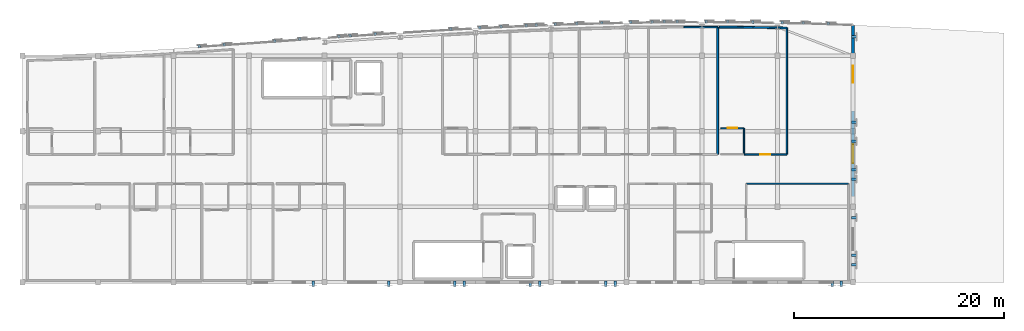
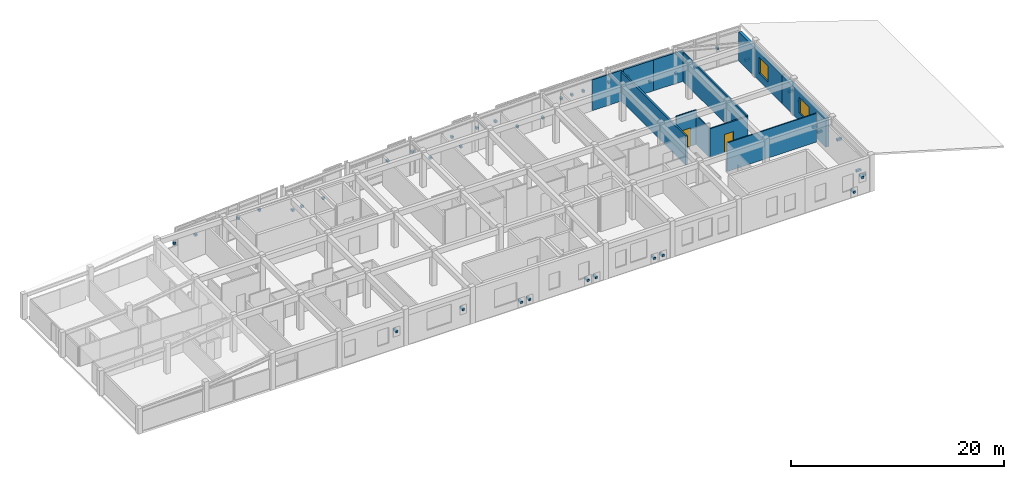
# One storey, part 23 of 24: 43 discrete accessories, 11 walls, 2 doors, 2 windows, 4 openings.
"""IFC4 building model written with IfcOpenShell, lengths in metres."""

from ifc_helpers import new_model, si_unit, direction, frame, frame_2d, origin, origin_2d, place, context, subcontext, project, spatial, rectangle, extrude, material, layer, layer_set, type_object, element, fill, save


model = new_model("IFC4")

# Units and contexts
model_context = context("Model", 3, precision=1e-05, world=origin(), true_north=direction((0.0, 1.0)))
body_context = subcontext(model_context, "Body", "Model", "MODEL_VIEW")
ifc_project = project(units=[si_unit("LENGTHUNIT", "METRE"), si_unit("AREAUNIT", "SQUARE_METRE"), si_unit("VOLUMEUNIT", "CUBIC_METRE"), si_unit("PLANEANGLEUNIT", "RADIAN"), si_unit("MASSUNIT", "GRAM", prefix="KILO")], contexts=[model_context])

# Site, building, storey
site_placement = place(None, origin())
site = spatial("IfcSite", under=ifc_project, at=site_placement, CompositionType="ELEMENT")
building_placement = place(site_placement, origin())
building = spatial("IfcBuilding", under=site, at=building_placement, Name="Carrowvane Square Congress Hotel", CompositionType="ELEMENT")
storey_placement = place(building_placement, frame((0.0, 0.0, 44.39990234375)))
storey = spatial("IfcBuildingStorey", under=building, at=storey_placement, Name="L11", CompositionType="ELEMENT", Elevation=44.39990234375)

# Wall, opening, window
ifc_material_1 = material(Name="Glazed terracotta rainscreen", Category="masonry")
ifc_layer_1 = layer(ifc_material_1, 0.330078125)
ifc_layer_set_1 = layer_set([ifc_layer_1], Name="Glazed terracotta rainscreen")
wall_type_1 = type_object("IfcWallType", Name="WL-EXT-TC330", PredefinedType="STANDARD", material=ifc_layer_set_1)
wall_1_placement = place(storey_placement, frame((112.39990234375, 116.323974609375, 0.0), z_axis=(0.0, 0.0, 1.0), x_axis=(0.0, -1.0, 0.0)))
wall_1 = element("IfcWall", 1, at=wall_1_placement, inside=storey, type_object=wall_type_1, Name="L11 exterior facade wall 604", PredefinedType="STANDARD", context=body_context, shape_type="SweptSolid", body=[
    extrude(rectangle(XDim=8.174560546875, YDim=0.330078125, at=frame_2d((4.08740234375, 0.0))), origin(), (0.0, 0.0, 1.0), 3.28515625),
])
opening_1_placement = place(wall_1_placement, frame((3.8623046875, 0.0, 0.89990234375)))
opening_1 = element("IfcOpeningElement", 2, at=opening_1_placement, cuts=wall_1, Name="Opening W-04", PredefinedType="OPENING", context=body_context, shape_type="SweptSolid", body=[
    extrude(rectangle(XDim=1.64990234375, YDim=1.800048828125, at=frame_2d((0.824951171875, 0.89990234375))), frame((0.0, 0.175048828125, 0.0), z_axis=(0.0, -1.0, 0.0), x_axis=(1.0, 0.0, 0.0)), (0.0, 0.0, 1.0), 0.35009765625),
])
ifc_material_2 = material(Name="Double-glazed low-E glass", Category="glass")
window_type_1 = type_object("IfcWindowType", Name="WIN-04", PartitioningType="SINGLE_PANEL", PredefinedType="WINDOW", material=ifc_material_2)
window_1_placement = place(opening_1_placement, origin())
window_1 = element("IfcWindow", 3, at=window_1_placement, inside=storey, type_object=window_type_1, Name="L11 facade window 497", OverallHeight=1.800048828125, OverallWidth=1.64990234375, PartitioningType="SINGLE_PANEL", PredefinedType="WINDOW", context=body_context, shape_type="SweptSolid", body=[
    extrude(rectangle(XDim=1.64990234375, YDim=1.800048828125, at=frame_2d((0.824951171875, 0.89990234375))), frame((0.0, 0.030029296875, 0.0), z_axis=(0.0, -1.0, 0.0), x_axis=(1.0, 0.0, 0.0)), (0.0, 0.0, 1.0), 0.06005859375),
])
fill(opening_1, window_1)

wall_2_placement = place(storey_placement, frame((112.39990234375, 108.1494140625, 0.0), z_axis=(0.0, 0.0, 1.0), x_axis=(0.0, -1.0, 0.0)))
wall_2 = element("IfcWall", 4, at=wall_2_placement, inside=storey, type_object=wall_type_1, Name="L11 exterior facade wall 605", PredefinedType="STANDARD", context=body_context, shape_type="SweptSolid", body=[
    extrude(rectangle(XDim=8.1748046875, YDim=0.330078125, at=frame_2d((4.08740234375, 0.0))), origin(), (0.0, 0.0, 1.0), 3.28515625),
])
opening_2_placement = place(wall_2_placement, frame((3.187255859375, 0.0, 0.89990234375)))
opening_2 = element("IfcOpeningElement", 5, at=opening_2_placement, cuts=wall_2, Name="Opening W-05", PredefinedType="OPENING", context=body_context, shape_type="SweptSolid", body=[
    extrude(rectangle(XDim=1.800048828125, YDim=1.800048828125, at=frame_2d((0.89990234375, 0.89990234375))), frame((0.0, 0.175048828125, 0.0), z_axis=(0.0, -1.0, 0.0), x_axis=(1.0, 0.0, 0.0)), (0.0, 0.0, 1.0), 0.35009765625),
])
ifc_material_3 = material(Name="Double-glazed low-E glass", Category="glass")
window_type_2 = type_object("IfcWindowType", Name="WIN-05", PartitioningType="SINGLE_PANEL", PredefinedType="WINDOW", material=ifc_material_3)
window_2_placement = place(opening_2_placement, origin())
window_2 = element("IfcWindow", 6, at=window_2_placement, inside=storey, type_object=window_type_2, Name="L11 facade window 498", OverallHeight=1.800048828125, OverallWidth=1.800048828125, PartitioningType="SINGLE_PANEL", PredefinedType="WINDOW", context=body_context, shape_type="SweptSolid", body=[
    extrude(rectangle(XDim=1.800048828125, YDim=1.800048828125, at=frame_2d((0.89990234375, 0.89990234375))), frame((0.0, 0.030029296875, 0.0), z_axis=(0.0, -1.0, 0.0), x_axis=(1.0, 0.0, 0.0)), (0.0, 0.0, 1.0), 0.06005859375),
])
fill(opening_2, window_2)

# Walls
ifc_material_4 = material(Name="Acoustic gypsum board", Category="gypsum")
ifc_layer_2 = layer(ifc_material_4, 0.155029296875)
ifc_layer_set_2 = layer_set([ifc_layer_2], Name="Acoustic gypsum board")
wall_type_2 = type_object("IfcWallType", Name="WL-FIR-155", PredefinedType="PARTITIONING", material=ifc_layer_set_2)
wall_3_placement = place(storey_placement, frame((106.090087890625, 116.059814453125, 0.0), z_axis=(0.0, 0.0, 1.0), x_axis=(0.0, -1.0, 0.0)))
element("IfcWall", 7, at=wall_3_placement, inside=storey, type_object=wall_type_2, Name="L11 Parkview Suite 1111 partition", PredefinedType="PARTITIONING", context=body_context, shape_type="SweptSolid", body=[
    extrude(rectangle(XDim=12.059814453125, YDim=0.155029296875, at=frame_2d((6.02978515625, 0.0))), origin(), (0.0, 0.0, 1.0), 3.335205078125),
])
ifc_material_5 = material(Name="Acoustic gypsum board", Category="gypsum")
ifc_layer_3 = layer(ifc_material_5, 0.169921875)
ifc_layer_set_3 = layer_set([ifc_layer_3], Name="Acoustic gypsum board")
wall_type_3 = type_object("IfcWallType", Name="WL-FIR-170", PredefinedType="PARTITIONING", material=ifc_layer_set_3)
wall_4_placement = place(storey_placement, frame((102.8701171875, 116.117431640625, 0.0), z_axis=(0.0, 0.0, 1.0), x_axis=(0.999839946197, -0.01789083534, 0.0)))
element("IfcWall", 8, at=wall_4_placement, inside=storey, type_object=wall_type_3, Name="L11 Parkview Suite 1111 partition", PredefinedType="PARTITIONING", context=body_context, shape_type="SweptSolid", body=[
    extrude(rectangle(XDim=3.220458984375, YDim=0.169921875, at=frame_2d((1.6103515625, 0.0))), origin(), (0.0, 0.0, 1.0), 3.525634765625),
])
ifc_material_6 = material(Name="Acoustic gypsum board", Category="gypsum")
ifc_layer_4 = layer(ifc_material_6, 0.18505859375)
ifc_layer_set_4 = layer_set([ifc_layer_4], Name="Acoustic gypsum board")
wall_type_4 = type_object("IfcWallType", Name="WL-FIR-185", PredefinedType="PARTITIONING", material=ifc_layer_set_4)
wall_5_placement = place(storey_placement, frame((99.489990234375, 116.14501953125, 0.0), z_axis=(0.0, 0.0, 1.0), x_axis=(0.0, -1.0, 0.0)))
element("IfcWall", 9, at=wall_5_placement, inside=storey, type_object=wall_type_4, Name="L11 Parkview Suite 1110 partition", PredefinedType="PARTITIONING", context=body_context, shape_type="SweptSolid", body=[
    extrude(rectangle(XDim=12.14501953125, YDim=0.18505859375, at=frame_2d((6.072509765625, 0.0))), origin(), (0.0, 0.0, 1.0), 3.335205078125),
])
wall_6_placement = place(storey_placement, frame((99.64990234375, 116.14453125, 0.0), z_axis=(0.0, 0.0, 1.0), x_axis=(0.999964591844, -0.008415168286, 0.0)))
element("IfcWall", 10, at=wall_6_placement, inside=storey, type_object=wall_type_4, Name="L11 Parkview Suite 1111 partition", PredefinedType="PARTITIONING", context=body_context, shape_type="SweptSolid", body=[
    extrude(rectangle(XDim=3.22021484375, YDim=0.18505859375, at=frame_2d((1.610107421875, 0.0))), origin(), (0.0, 0.0, 1.0), 3.525634765625),
])
ifc_material_7 = material(Name="Acoustic gypsum board", Category="gypsum")
ifc_layer_5 = layer(ifc_material_7, 0.10791015625)
ifc_layer_set_5 = layer_set([ifc_layer_5], Name="Acoustic gypsum board")
wall_type_5 = type_object("IfcWallType", Name="WL-PRT-108", PredefinedType="PARTITIONING", material=ifc_layer_set_5)
wall_7_placement = place(storey_placement, frame((102.0, 106.5, 0.0), z_axis=(0.0, 0.0, 1.0), x_axis=(0.0, -1.0, 0.0)))
element("IfcWall", 11, at=wall_7_placement, inside=storey, type_object=wall_type_5, Name="L11 En-suite Bathroom 1111 partition", PredefinedType="PARTITIONING", context=body_context, shape_type="SweptSolid", body=[
    extrude(rectangle(XDim=2.5, YDim=0.10791015625, at=frame_2d((1.25, 0.0))), origin(), (0.0, 0.0, 1.0), 3.335205078125),
])
ifc_material_8 = material(Name="Acoustic gypsum board", Category="gypsum")
ifc_layer_6 = layer(ifc_material_8, 0.117919921875)
ifc_layer_set_6 = layer_set([ifc_layer_6], Name="Acoustic gypsum board")
wall_type_6 = type_object("IfcWallType", Name="WL-PRT-118", PredefinedType="PARTITIONING", material=ifc_layer_set_6)
wall_8_placement = place(storey_placement, frame((102.2099609375, 101.199951171875, 0.0), z_axis=(0.0, 0.0, 1.0), x_axis=(1.0, 0.0, 0.0)))
element("IfcWall", 12, at=wall_8_placement, inside=storey, type_object=wall_type_6, Name="L11 L11 Presidential East Dining Salon partition", PredefinedType="PARTITIONING", context=body_context, shape_type="SweptSolid", body=[
    extrude(rectangle(XDim=9.739990234375, YDim=0.117919921875, at=frame_2d((4.8701171875, 0.0))), origin(), (0.0, 0.0, 1.0), 3.28515625),
])

# Wall, opening, door
wall_9_placement = place(storey_placement, frame((99.800048828125, 106.5, 0.0), z_axis=(0.0, 0.0, 1.0), x_axis=(1.0, 0.0, 0.0)))
wall_9 = element("IfcWall", 13, at=wall_9_placement, inside=storey, type_object=wall_type_6, Name="L11 En-suite Bathroom 1111 partition", PredefinedType="PARTITIONING", context=body_context, shape_type="SweptSolid", body=[
    extrude(rectangle(XDim=2.199951171875, YDim=0.117919921875, at=frame_2d((1.10009765625, 0.0))), origin(), (0.0, 0.0, 1.0), 3.9501953125),
])
opening_3_placement = place(wall_9_placement, frame((0.64501953125, 0.0, 0.0)))
opening_3 = element("IfcOpeningElement", 14, at=opening_3_placement, cuts=wall_9, Name="Opening ID-17", PredefinedType="OPENING", context=body_context, shape_type="SweptSolid", body=[
    extrude(rectangle(XDim=0.909912109375, YDim=2.110107421875, at=frame_2d((0.455078125, 1.05517578125))), frame((0.0, 0.06884765625, 0.0), z_axis=(0.0, -1.0, 0.0), x_axis=(1.0, 0.0, 0.0)), (0.0, 0.0, 1.0), 0.137939453125),
])
ifc_material_9 = material(Name="European oak timber", Category="wood")
door_type_1 = type_object("IfcDoorType", Name="DR-INT-0910x2110", OperationType="NOTDEFINED", PredefinedType="DOOR", material=ifc_material_9)
door_1_placement = place(opening_3_placement, origin())
door_1 = element("IfcDoor", 15, at=door_1_placement, inside=storey, type_object=door_type_1, Name="L11 En-suite Bathroom 1111 door", OperationType="SINGLE_SWING_RIGHT", OverallHeight=2.110107421875, OverallWidth=0.909912109375, PredefinedType="DOOR", context=body_context, shape_type="SweptSolid", body=[
    extrude(rectangle(XDim=0.909912109375, YDim=2.110107421875, at=frame_2d((0.455078125, 1.05517578125))), frame((0.0, 0.02490234375, 0.0), z_axis=(0.0, -1.0, 0.0), x_axis=(1.0, 0.0, 0.0)), (0.0, 0.0, 1.0), 0.050048828125),
])
fill(opening_3, door_1)

# Wall
ifc_material_10 = material(Name="Acoustic gypsum board", Category="gypsum")
ifc_layer_7 = layer(ifc_material_10, 0.137939453125)
ifc_layer_set_7 = layer_set([ifc_layer_7], Name="Acoustic gypsum board")
wall_type_7 = type_object("IfcWallType", Name="WL-PRT-138", PredefinedType="PARTITIONING", material=ifc_layer_set_7)
wall_10_placement = place(storey_placement, frame((96.27001953125, 116.144287109375, 0.0), z_axis=(0.0, 0.0, 1.0), x_axis=(0.99999997413, 0.000227462273, 0.0)))
element("IfcWall", 16, at=wall_10_placement, inside=storey, type_object=wall_type_7, Name="L11 Parkview Suite 1110 partition", PredefinedType="PARTITIONING", context=body_context, shape_type="SweptSolid", body=[
    extrude(rectangle(XDim=3.219970703125, YDim=0.137939453125, at=frame_2d((1.60986328125, 0.0))), origin(), (0.0, 0.0, 1.0), 3.525634765625),
])

# Wall, opening, door
ifc_material_11 = material(Name="Acoustic gypsum board", Category="gypsum")
ifc_layer_8 = layer(ifc_material_11, 0.14794921875)
ifc_layer_set_8 = layer_set([ifc_layer_8], Name="Acoustic gypsum board")
wall_type_8 = type_object("IfcWallType", Name="WL-PRT-148", PredefinedType="PARTITIONING", material=ifc_layer_set_8)
wall_11_placement = place(storey_placement, frame((106.090087890625, 104.0, 0.0), z_axis=(0.0, 0.0, 1.0), x_axis=(-1.0, 0.0, 0.0)))
wall_11 = element("IfcWall", 17, at=wall_11_placement, inside=storey, type_object=wall_type_8, Name="L11 Parkview Suite 1111 partition", PredefinedType="PARTITIONING", context=body_context, shape_type="SweptSolid", body=[
    extrude(rectangle(XDim=4.080078125, YDim=0.14794921875, at=frame_2d((2.0400390625, 0.0))), origin(), (0.0, 0.0, 1.0), 3.28515625),
])
opening_4_placement = place(wall_11_placement, frame((1.56494140625, 0.0, 0.0)))
opening_4 = element("IfcOpeningElement", 18, at=opening_4_placement, cuts=wall_11, Name="Opening FD-06", PredefinedType="OPENING", context=body_context, shape_type="SweptSolid", body=[
    extrude(rectangle(XDim=0.949951171875, YDim=2.10009765625, at=frame_2d((0.47509765625, 1.050048828125))), frame((0.0, 0.083984375, 0.0), z_axis=(0.0, -1.0, 0.0), x_axis=(1.0, 0.0, 0.0)), (0.0, 0.0, 1.0), 0.16796875),
])
ifc_material_12 = material(Name="European oak timber", Category="wood")
door_type_2 = type_object("IfcDoorType", Name="DR-FD30-0950x2100", OperationType="NOTDEFINED", PredefinedType="DOOR", material=ifc_material_12)
door_2_placement = place(opening_4_placement, origin())
door_2 = element("IfcDoor", 19, at=door_2_placement, inside=storey, type_object=door_type_2, Name="L11 Parkview Suite 1111 entrance door", OperationType="SINGLE_SWING_LEFT", OverallHeight=2.10009765625, OverallWidth=0.949951171875, PredefinedType="DOOR", context=body_context, shape_type="SweptSolid", body=[
    extrude(rectangle(XDim=0.949951171875, YDim=2.10009765625, at=frame_2d((0.47509765625, 1.050048828125))), frame((0.0, 0.02490234375, 0.0), z_axis=(0.0, -1.0, 0.0), x_axis=(1.0, 0.0, 0.0)), (0.0, 0.0, 1.0), 0.050048828125),
])
fill(opening_4, door_2)

# Discrete accessories
ifc_material_13 = material(Name="Stainless steel 316", Category="steel")
discrete_accessory_type = type_object("IfcDiscreteAccessoryType", Name="ACC-BRK-SS", PredefinedType="BRACKET", material=ifc_material_13)
for number, where, z_axis, x_axis, name in (
    (20, (50.0244140625, 114.3173828125, 2.0302734375), (0.0, 0.0, 1.0), (0.99761759323, 0.068986503591, 0.0), "Pixel screen mullion bracket 1002"),
    (21, (52.42919921875, 114.483642578125, 2.0302734375), (0.0, 0.0, 1.0), (0.997505756275, 0.070585169822, 0.0), "Pixel screen mullion bracket 1003"),
    (22, (57.229248046875, 114.825439453125, 2.0302734375), (0.0, 0.0, 1.0), (0.997438267187, 0.071532532122, 0.0), "Pixel screen mullion bracket 1004"),
    (23, (59.624267578125, 114.9970703125, 2.0302734375), (0.0, 0.0, 1.0), (0.997479379392, 0.070956942496, 0.0), "Pixel screen mullion bracket 1005"),
    (24, (63.373046875, 115.26220703125, 0.56005859375), (0.0, 0.0, 1.0), (0.997566258056, 0.069724893606, 0.0), "Pixel screen mullion bracket 1006"),
    (25, (64.424560546875, 115.33544921875, 0.56005859375), (0.0, 0.0, 1.0), (0.9976944394, 0.067866085713, 0.0), "Pixel screen mullion bracket 1007"),
    (26, (66.82958984375, 115.4990234375, 0.56005859375), (0.0, 0.0, 1.0), (0.99785825325, 0.065413350476, 0.0), "Pixel screen mullion bracket 1008"),
    (27, (74.025634765625, 115.947265625, 2.0302734375), (0.0, 0.0, 1.0), (0.998496552462, 0.054814548441, 0.0), "Pixel screen mullion bracket 1009"),
    (28, (76.79541015625, 116.09765625, 2.0302734375), (0.0, 0.0, 1.0), (0.998733066647, 0.050321581706, 0.0), "Pixel screen mullion bracket 1010"),
    (29, (78.826416015625, 116.19970703125, 0.56005859375), (0.0, 0.0, 1.0), (0.998968255262, 0.045413929349, 0.0), "Pixel screen mullion bracket 1011"),
    (30, (81.231689453125, 116.308837890625, 2.0302734375), (0.0, 0.0, 1.0), (0.999194294234, 0.040134304148, 0.0), "Pixel screen mullion bracket 1012"),
    (31, (82.197265625, 116.34765625, 0.56005859375), (0.0, 0.0, 1.0), (0.999194294234, 0.040134304148, 0.0), "Pixel screen mullion bracket 1013"),
    (32, (83.997802734375, 116.417724609375, 2.0302734375), (0.0, 0.0, 1.0), (0.999403768784, 0.034526901703, 0.0), "Pixel screen mullion bracket 1014"),
    (33, (86.03271484375, 116.48779296875, 2.0302734375), (0.0, 0.0, 1.0), (0.999589805464, 0.028639497417, 0.0), "Pixel screen mullion bracket 1015"),
    (34, (88.42822265625, 116.556396484375, 0.56005859375), (0.0, 0.0, 1.0), (0.999746418061, 0.022518871507, 0.0), "Pixel screen mullion bracket 1016"),
    (35, (91.211181640625, 116.616455078125, 0.56005859375), (0.0, 0.0, 1.0), (0.999868508772, 0.016216200758, 0.0), "Pixel screen mullion bracket 1017"),
    (36, (93.229248046875, 116.64892578125, 2.0302734375), (0.0, 0.0, 1.0), (0.999952150705, 0.009782448565, 0.0), "Pixel screen mullion bracket 1018"),
    (37, (94.399169921875, 116.660400390625, 2.0302734375), (0.0, 0.0, 1.0), (0.999952150705, 0.009782448565, 0.0), "Pixel screen mullion bracket 1019"),
    (38, (95.634765625, 116.67236328125, 2.0302734375), (0.0, 0.0, 1.0), (0.999994654955, 0.003269565853, 0.0), "Pixel screen mullion bracket 1020"),
    (39, (98.4150390625, 116.6787109375, 2.0302734375), (0.0, 0.0, 1.0), (0.999994654955, -0.003269565853, 0.0), "Pixel screen mullion bracket 1021"),
    (40, (100.435791015625, 116.671875, 2.0302734375), (0.0, 0.0, 1.0), (0.999952150705, -0.009782448565, 0.0), "Pixel screen mullion bracket 1022"),
    (41, (102.831298828125, 116.648193359375, 0.56005859375), (0.0, 0.0, 1.0), (0.999868508772, -0.016216200758, 0.0), "Pixel screen mullion bracket 1023"),
    (42, (105.629150390625, 116.60009765625, 0.56005859375), (0.0, 0.0, 1.0), (0.999746418061, -0.022518871507, 0.0), "Pixel screen mullion bracket 1024"),
    (43, (107.63232421875, 116.5546875, 0.56005859375), (0.0, 0.0, 1.0), (0.999589805464, -0.028639497417, 0.0), "Pixel screen mullion bracket 1025"),
    (44, (110.037841796875, 116.485595703125, 2.0302734375), (0.0, 0.0, 1.0), (0.999403768784, -0.034526901703, 0.0), "Pixel screen mullion bracket 1026"),
):
    element("IfcDiscreteAccessory", number, at=place(storey_placement, frame(where, z_axis=z_axis, x_axis=x_axis)), inside=storey, type_object=discrete_accessory_type, Name=name, PredefinedType="BRACKET", context=body_context, shape_type="SweptSolid", body=[
        extrude(rectangle(XDim=0.239990234375, YDim=0.280029296875, at=origin_2d()), origin(), (0.0, 0.0, 1.0), 0.239990234375),
    ])
for number, where, z_axis, x_axis, name in (
    (45, (112.52490234375, 115.22412109375, 0.56005859375), (0.0, 0.0, 1.0), (0.0, -1.0, 0.0), "V5 pixel screen bracket 1027"),
    (46, (112.52490234375, 107.04931640625, 1.93017578125), (0.0, 0.0, 1.0), (0.0, -1.0, 0.0), "V5 pixel screen bracket 1028"),
    (47, (112.52490234375, 105.249267578125, 1.93017578125), (0.0, 0.0, 1.0), (0.0, -1.0, 0.0), "V5 pixel screen bracket 1029"),
    (48, (112.52490234375, 102.54931640625, 0.56005859375), (0.0, 0.0, 1.0), (0.0, -1.0, 0.0), "V5 pixel screen bracket 1030"),
    (49, (112.52490234375, 101.6494140625, 0.56005859375), (0.0, 0.0, 1.0), (0.0, -1.0, 0.0), "V5 pixel screen bracket 1031"),
    (50, (112.52490234375, 97.974609375, 1.93017578125), (0.0, 0.0, 1.0), (0.0, -1.0, 0.0), "V5 pixel screen bracket 1032"),
    (51, (112.52490234375, 94.374755859375, 0.56005859375), (0.0, 0.0, 1.0), (0.0, -1.0, 0.0), "V5 pixel screen bracket 1033"),
    (52, (112.52490234375, 93.474609375, 0.56005859375), (0.0, 0.0, 1.0), (0.0, -1.0, 0.0), "V5 pixel screen bracket 1034"),
    (53, (111.300048828125, 91.675048828125, 1.93017578125), (0.0, 0.0, 1.0), (-1.0, 0.0, 0.0), "V5 pixel screen bracket 1035"),
    (54, (110.39990234375, 91.675048828125, 0.56005859375), (0.0, 0.0, 1.0), (-1.0, 0.0, 0.0), "V5 pixel screen bracket 1036"),
    (55, (89.699951171875, 91.675048828125, 0.56005859375), (0.0, 0.0, 1.0), (-1.0, 0.0, 0.0), "V5 pixel screen bracket 1037"),
    (56, (88.800048828125, 91.675048828125, 0.56005859375), (0.0, 0.0, 1.0), (-1.0, 0.0, 0.0), "V5 pixel screen bracket 1038"),
    (57, (82.5, 91.675048828125, 0.56005859375), (0.0, 0.0, 1.0), (-1.0, 0.0, 0.0), "V5 pixel screen bracket 1039"),
    (58, (81.60009765625, 91.675048828125, 0.56005859375), (0.0, 0.0, 1.0), (-1.0, 0.0, 0.0), "V5 pixel screen bracket 1040"),
    (59, (75.300048828125, 91.675048828125, 0.56005859375), (0.0, 0.0, 1.0), (-1.0, 0.0, 0.0), "V5 pixel screen bracket 1041"),
    (60, (74.39990234375, 91.675048828125, 0.56005859375), (0.0, 0.0, 1.0), (-1.0, 0.0, 0.0), "V5 pixel screen bracket 1042"),
    (61, (68.10009765625, 91.675048828125, 1.93017578125), (0.0, 0.0, 1.0), (-1.0, 0.0, 0.0), "V5 pixel screen bracket 1043"),
    (62, (60.89990234375, 91.675048828125, 1.93017578125), (0.0, 0.0, 1.0), (-1.0, 0.0, 0.0), "V5 pixel screen bracket 1044"),
):
    element("IfcDiscreteAccessory", number, at=place(storey_placement, frame(where, z_axis=z_axis, x_axis=x_axis)), inside=storey, type_object=discrete_accessory_type, Name=name, PredefinedType="BRACKET", context=body_context, shape_type="SweptSolid", body=[
        extrude(rectangle(XDim=0.239990234375, YDim=0.52001953125, at=origin_2d()), origin(), (0.0, 0.0, 1.0), 0.239990234375),
    ])

save(model, "model.ifc")
